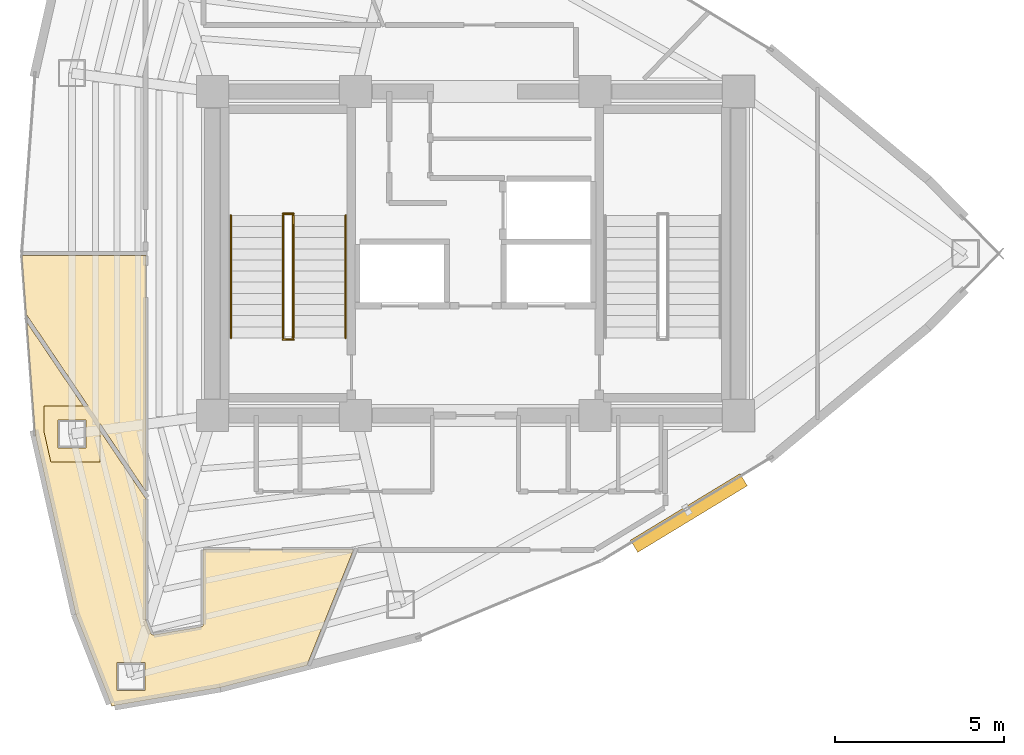
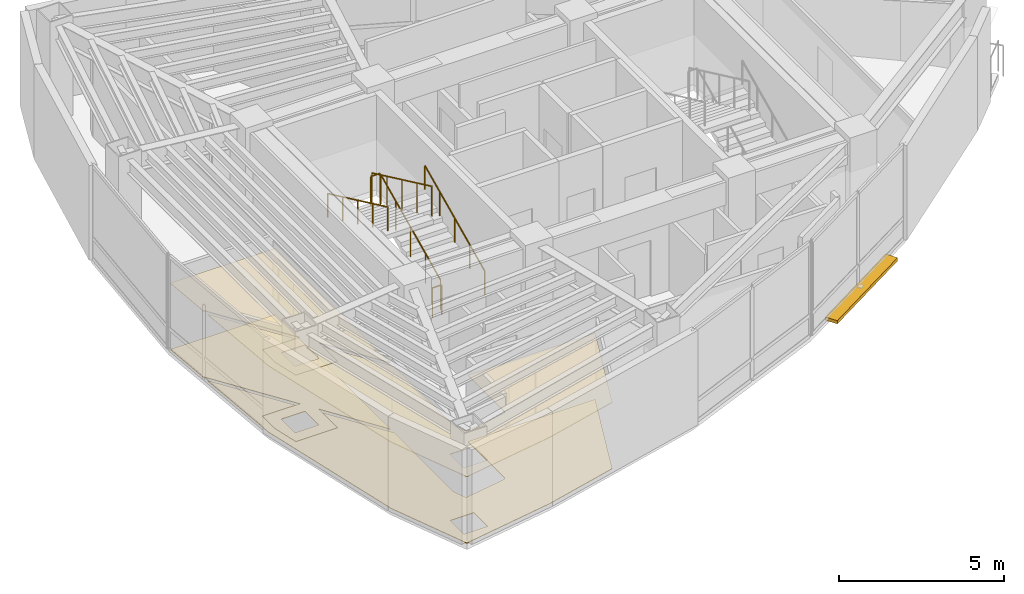
# One storey, part 14 of 15: 6 railings, 4 coverings, 1 shading device.
"""IFC4 building model written with IfcOpenShell, lengths in metres."""

from ifc_helpers import new_model, si_unit, direction, frame, origin, origin_2d, place, context, subcontext, project, spatial, polyline, rectangle, circle, outline, extrude, material, layer, layer_set, type_object, element, save


model = new_model("IFC4")

# Units and contexts
model_context = context("Model", 3, precision=1e-05, world=origin(), true_north=direction((0.0, 1.0)))
body_context = subcontext(model_context, "Body", "Model", "MODEL_VIEW")
ifc_project = project(units=[si_unit("LENGTHUNIT", "METRE"), si_unit("AREAUNIT", "SQUARE_METRE"), si_unit("VOLUMEUNIT", "CUBIC_METRE"), si_unit("PLANEANGLEUNIT", "RADIAN"), si_unit("MASSUNIT", "GRAM", prefix="KILO")], contexts=[model_context])

# Site, building, storey
site_placement = place(None, origin())
site = spatial("IfcSite", under=ifc_project, at=site_placement, CompositionType="ELEMENT")
building_placement = place(site_placement, origin())
building = spatial("IfcBuilding", under=site, at=building_placement, Name="Menara Vayukalpa", CompositionType="ELEMENT")
storey_placement = place(building_placement, frame((0.0, 0.0, 265.739990234375)))
storey = spatial("IfcBuildingStorey", under=building, at=storey_placement, Name="L67", CompositionType="ELEMENT", Elevation=265.739990234375)

# Coverings
ifc_material_1 = material(Name="Mineral Fibre Acoustic Ceiling Tile", Category="masonry")
ifc_layer_1 = layer(ifc_material_1, 0.02490234375)
ifc_layer_set_1 = layer_set([ifc_layer_1], Name="Mineral Fibre Acoustic Ceiling Tile")
covering_type_1 = type_object("IfcCoveringType", Name="COV-CLG1", PredefinedType="CEILING", material=ifc_layer_set_1)
covering_1_placement = place(storey_placement, frame((0.0, 0.0, 2.449951171875)))
element("IfcCovering", 1, at=covering_1_placement, inside=storey, type_object=covering_type_1, Name="L67 Executive Office Suite Acoustic Ceiling", PredefinedType="CEILING", context=body_context, shape_type="SweptSolid", body=[
    extrude(outline(polyline([(12.803955078125, 16.86376953125), (12.803955078125, 17.48828125), (14.115478515625, 17.48828125), (12.31884765625, 20.15185546875), (12.315185546875, 20.15673828125), (12.311279296875, 20.1611328125), (12.306884765625, 20.1650390625), (12.30224609375, 20.16845703125), (12.297119140625, 20.17138671875), (12.291748046875, 20.174072265625), (12.290771484375, 20.174560546875), (12.289794921875, 20.1748046875), (12.288818359375, 20.17529296875), (12.2880859375, 20.176025390625), (12.287353515625, 20.1767578125), (12.28662109375, 20.177490234375), (12.285888671875, 20.17822265625), (12.285400390625, 20.17919921875), (12.284912109375, 20.18017578125), (12.28466796875, 20.180908203125), (12.284423828125, 20.181884765625), (12.2841796875, 20.18310546875), (12.1533203125, 21.92919921875), (12.1533203125, 21.93017578125), (12.1533203125, 21.93115234375), (12.153564453125, 21.93212890625), (12.15380859375, 21.93310546875), (12.154052734375, 21.93408203125), (12.154541015625, 21.934814453125), (12.155029296875, 21.935791015625), (12.155517578125, 21.936279296875), (12.15625, 21.93701171875), (12.156982421875, 21.937744140625), (12.15771484375, 21.9384765625), (12.15869140625, 21.93896484375), (12.159423828125, 21.939208984375), (12.160400390625, 21.939697265625), (12.161376953125, 21.939697265625), (12.162353515625, 21.93994140625), (12.163330078125, 21.93994140625), (15.820068359375, 21.93994140625), (15.821044921875, 21.93994140625), (15.822021484375, 21.939697265625), (15.822998046875, 21.939697265625), (15.82373046875, 21.939208984375), (15.82470703125, 21.938720703125), (15.82568359375, 21.938232421875), (15.826416015625, 21.937744140625), (15.8271484375, 21.93701171875), (15.82763671875, 21.936279296875), (15.828369140625, 21.935546875), (15.828857421875, 21.934814453125), (15.8291015625, 21.933837890625), (15.82958984375, 21.932861328125), (15.829833984375, 21.931884765625), (15.830078125, 21.930908203125), (15.830078125, 21.929931640625), (15.830078125, 14.979248046875), (15.830078125, 14.978271484375), (15.829833984375, 14.977294921875), (15.82958984375, 14.976318359375), (15.8291015625, 14.975341796875), (15.828857421875, 14.974609375), (15.828369140625, 14.9736328125), (15.82763671875, 14.972900390625), (15.8271484375, 14.97216796875), (15.826416015625, 14.971435546875), (15.82568359375, 14.970947265625), (15.82470703125, 14.970458984375), (15.82373046875, 14.969970703125), (15.822998046875, 14.969482421875), (15.822021484375, 14.969482421875), (15.821044921875, 14.96923828125), (15.820068359375, 14.96923828125), (15.819091796875, 14.96923828125), (15.818115234375, 14.969482421875), (15.817138671875, 14.969482421875), (15.816162109375, 14.969970703125), (15.815185546875, 14.970458984375), (15.814453125, 14.970947265625), (15.813720703125, 14.971435546875), (15.81298828125, 14.97216796875), (15.812255859375, 14.972900390625), (15.811767578125, 14.9736328125), (14.47412109375, 16.956787109375), (14.47412109375, 15.818359375), (13.013916015625, 15.818359375), (12.816650390625, 16.694580078125), (12.803955078125, 16.86376953125)]), holes=[polyline([(14.053955078125, 17.068359375), (13.22412109375, 17.068359375), (13.22412109375, 16.23828125), (14.053955078125, 16.23828125), (14.053955078125, 17.068359375)])]), origin(), (0.0, 0.0, 1.0), 0.025146484375),
])
covering_2_placement = place(storey_placement, frame((0.0, 0.0, 2.449951171875)))
element("IfcCovering", 2, at=covering_2_placement, inside=storey, type_object=covering_type_1, Name="L67 Executive Office Suite Acoustic Ceiling", PredefinedType="CEILING", context=body_context, shape_type="SweptSolid", body=[
    extrude(outline(polyline([(14.827392578125, 8.589111328125), (14.826416015625, 8.589111328125), (14.82568359375, 8.58935546875), (14.82470703125, 8.58935546875), (14.82373046875, 8.589599609375), (14.82275390625, 8.590087890625), (14.822021484375, 8.590576171875), (14.821044921875, 8.591064453125), (14.8203125, 8.591552734375), (14.819580078125, 8.59228515625), (14.81884765625, 8.593017578125), (14.818359375, 8.59375), (14.81787109375, 8.5947265625), (14.8173828125, 8.595458984375), (13.751953125, 11.308837890625), (13.751708984375, 11.309814453125), (13.75146484375, 11.310302734375), (12.549072265625, 16.654052734375), (12.548828125, 16.655517578125), (12.303466796875, 19.9267578125), (12.303466796875, 19.927734375), (12.3037109375, 19.9287109375), (12.3037109375, 19.9296875), (12.303955078125, 19.9306640625), (12.30419921875, 19.931396484375), (12.3046875, 19.932373046875), (12.305419921875, 19.93310546875), (12.305908203125, 19.93408203125), (12.306396484375, 19.934814453125), (12.307373046875, 19.935302734375), (12.30810546875, 19.935791015625), (12.308837890625, 19.936279296875), (12.309814453125, 19.936767578125), (12.310791015625, 19.93701171875), (12.3115234375, 19.937255859375), (12.3125, 19.9375), (12.313720703125, 19.9375), (12.314453125, 19.9375), (12.3154296875, 19.937255859375), (12.31640625, 19.93701171875), (12.3173828125, 19.936767578125), (12.318115234375, 19.936279296875), (12.319091796875, 19.935791015625), (12.31982421875, 19.935302734375), (12.320556640625, 19.9345703125), (12.3212890625, 19.933837890625), (12.32177734375, 19.93310546875), (13.970703125, 17.48828125), (14.47412109375, 17.48828125), (14.47412109375, 16.7421875), (15.8203125, 14.74658203125), (15.82373046875, 14.74169921875), (15.827392578125, 14.73779296875), (15.827880859375, 14.737060546875), (15.82861328125, 14.736083984375), (15.8291015625, 14.7353515625), (15.829345703125, 14.734619140625), (15.82958984375, 14.733642578125), (15.829833984375, 14.73291015625), (15.830078125, 14.73193359375), (15.830078125, 14.73095703125), (15.830078125, 11.146484375), (15.830322265625, 11.1396484375), (15.831298828125, 11.13330078125), (15.832763671875, 11.126708984375), (15.8349609375, 11.12060546875), (15.984619140625, 10.7392578125), (15.987548828125, 10.732666015625), (15.990966796875, 10.726806640625), (15.994873046875, 10.72119140625), (15.999267578125, 10.716064453125), (16.00439453125, 10.71142578125), (16.009765625, 10.707275390625), (16.015625, 10.70361328125), (16.021484375, 10.700439453125), (16.02783203125, 10.697998046875), (16.034423828125, 10.6962890625), (16.041259765625, 10.695068359375), (16.048095703125, 10.694580078125), (16.054931640625, 10.694580078125), (16.06201171875, 10.695556640625), (17.471435546875, 10.934814453125), (17.478515625, 10.936279296875), (17.485107421875, 10.938720703125), (17.49169921875, 10.94140625), (17.497802734375, 10.94482421875), (17.50341796875, 10.94921875), (17.5087890625, 10.95361328125), (17.513427734375, 10.958740234375), (17.517822265625, 10.96435546875), (17.521484375, 10.97021484375), (17.5244140625, 10.9765625), (17.52685546875, 10.983154296875), (17.528564453125, 10.989990234375), (17.529541015625, 10.996826171875), (17.530029296875, 11.004150390625), (17.530029296875, 13.2099609375), (17.530029296875, 13.2109375), (17.5302734375, 13.2119140625), (17.530517578125, 13.212890625), (17.53076171875, 13.2138671875), (17.53125, 13.214599609375), (17.53173828125, 13.215576171875), (17.5322265625, 13.21630859375), (17.532958984375, 13.217041015625), (17.53369140625, 13.2177734375), (17.534423828125, 13.21826171875), (17.535400390625, 13.21875), (17.5361328125, 13.21923828125), (17.537109375, 13.219482421875), (17.5380859375, 13.2197265625), (17.5390625, 13.219970703125), (17.5400390625, 13.219970703125), (21.97314453125, 13.219970703125), (21.97412109375, 13.219970703125), (21.97509765625, 13.2197265625), (21.97607421875, 13.219482421875), (21.976806640625, 13.21923828125), (21.977783203125, 13.21875), (21.978515625, 13.21826171875), (21.9794921875, 13.2177734375), (21.97998046875, 13.217041015625), (21.980712890625, 13.21630859375), (21.9814453125, 13.215576171875), (21.98193359375, 13.21484375), (21.982421875, 13.2138671875), (21.982666015625, 13.212890625), (21.98291015625, 13.2119140625), (21.98291015625, 13.2109375), (21.983154296875, 13.210205078125), (21.983154296875, 13.208984375), (21.98291015625, 13.2080078125), (21.982666015625, 13.207275390625), (21.982421875, 13.206298828125), (20.60888671875, 9.80712890625), (20.60693359375, 9.80126953125), (20.605712890625, 9.79541015625), (20.60546875, 9.79443359375), (20.60498046875, 9.793701171875), (20.6044921875, 9.792724609375), (20.60400390625, 9.7919921875), (20.603515625, 9.791015625), (20.602783203125, 9.790283203125), (20.601806640625, 9.789794921875), (20.60107421875, 9.789306640625), (20.60009765625, 9.788818359375), (20.599365234375, 9.788330078125), (20.598388671875, 9.7880859375), (18.028564453125, 9.1328125), (18.027587890625, 9.132568359375), (14.82861328125, 8.58935546875), (14.827392578125, 8.589111328125)]), holes=[polyline([(14.97412109375, 9.870361328125), (14.97412109375, 9.040283203125), (15.80419921875, 9.040283203125), (15.80419921875, 9.870361328125), (14.97412109375, 9.870361328125)]), polyline([(14.053955078125, 17.068359375), (13.22412109375, 17.068359375), (13.22412109375, 16.23828125), (14.053955078125, 16.23828125), (14.053955078125, 17.068359375)])]), origin(), (0.0, 0.0, 1.0), 0.025146484375),
])
ifc_material_2 = material(Name="Porcelain Stoneware Floor Tile", Category="masonry")
ifc_layer_2 = layer(ifc_material_2, 0.02001953125)
ifc_layer_set_2 = layer_set([ifc_layer_2], Name="Porcelain Stoneware Floor Tile")
covering_type_2 = type_object("IfcCoveringType", Name="COV-FLR1", PredefinedType="FLOORING", material=ifc_layer_set_2)
covering_3_placement = place(storey_placement, origin())
element("IfcCovering", 3, at=covering_3_placement, inside=storey, type_object=covering_type_2, Name="L67 Executive Office Suite Porcelain Flooring", PredefinedType="FLOORING", context=body_context, shape_type="SweptSolid", body=[
    extrude(outline(polyline([(12.803955078125, 16.86376953125), (12.803955078125, 17.48828125), (14.115478515625, 17.48828125), (12.31884765625, 20.15185546875), (12.315185546875, 20.15673828125), (12.311279296875, 20.1611328125), (12.306884765625, 20.1650390625), (12.30224609375, 20.16845703125), (12.297119140625, 20.17138671875), (12.291748046875, 20.174072265625), (12.290771484375, 20.174560546875), (12.289794921875, 20.1748046875), (12.288818359375, 20.17529296875), (12.2880859375, 20.176025390625), (12.287353515625, 20.1767578125), (12.28662109375, 20.177490234375), (12.285888671875, 20.17822265625), (12.285400390625, 20.17919921875), (12.284912109375, 20.18017578125), (12.28466796875, 20.180908203125), (12.284423828125, 20.181884765625), (12.2841796875, 20.18310546875), (12.1533203125, 21.92919921875), (12.1533203125, 21.93017578125), (12.1533203125, 21.93115234375), (12.153564453125, 21.93212890625), (12.15380859375, 21.93310546875), (12.154052734375, 21.93408203125), (12.154541015625, 21.934814453125), (12.155029296875, 21.935791015625), (12.155517578125, 21.936279296875), (12.15625, 21.93701171875), (12.156982421875, 21.937744140625), (12.15771484375, 21.9384765625), (12.15869140625, 21.93896484375), (12.159423828125, 21.939208984375), (12.160400390625, 21.939697265625), (12.161376953125, 21.939697265625), (12.162353515625, 21.93994140625), (12.163330078125, 21.93994140625), (15.820068359375, 21.93994140625), (15.821044921875, 21.93994140625), (15.822021484375, 21.939697265625), (15.822998046875, 21.939697265625), (15.82373046875, 21.939208984375), (15.82470703125, 21.938720703125), (15.82568359375, 21.938232421875), (15.826416015625, 21.937744140625), (15.8271484375, 21.93701171875), (15.82763671875, 21.936279296875), (15.828369140625, 21.935546875), (15.828857421875, 21.934814453125), (15.8291015625, 21.933837890625), (15.82958984375, 21.932861328125), (15.829833984375, 21.931884765625), (15.830078125, 21.930908203125), (15.830078125, 21.929931640625), (15.830078125, 14.979248046875), (15.830078125, 14.978271484375), (15.829833984375, 14.977294921875), (15.82958984375, 14.976318359375), (15.8291015625, 14.975341796875), (15.828857421875, 14.974609375), (15.828369140625, 14.9736328125), (15.82763671875, 14.972900390625), (15.8271484375, 14.97216796875), (15.826416015625, 14.971435546875), (15.82568359375, 14.970947265625), (15.82470703125, 14.970458984375), (15.82373046875, 14.969970703125), (15.822998046875, 14.969482421875), (15.822021484375, 14.969482421875), (15.821044921875, 14.96923828125), (15.820068359375, 14.96923828125), (15.819091796875, 14.96923828125), (15.818115234375, 14.969482421875), (15.817138671875, 14.969482421875), (15.816162109375, 14.969970703125), (15.815185546875, 14.970458984375), (15.814453125, 14.970947265625), (15.813720703125, 14.971435546875), (15.81298828125, 14.97216796875), (15.812255859375, 14.972900390625), (15.811767578125, 14.9736328125), (14.47412109375, 16.956787109375), (14.47412109375, 15.818359375), (13.013916015625, 15.818359375), (12.816650390625, 16.694580078125), (12.803955078125, 16.86376953125)]), holes=[polyline([(14.053955078125, 17.068359375), (13.22412109375, 17.068359375), (13.22412109375, 16.23828125), (14.053955078125, 16.23828125), (14.053955078125, 17.068359375)])]), origin(), (0.0, 0.0, 1.0), 0.02001953125),
])
covering_4_placement = place(storey_placement, origin())
element("IfcCovering", 4, at=covering_4_placement, inside=storey, type_object=covering_type_2, Name="L67 Executive Office Suite Porcelain Flooring", PredefinedType="FLOORING", context=body_context, shape_type="SweptSolid", body=[
    extrude(outline(polyline([(14.827392578125, 8.589111328125), (14.826416015625, 8.589111328125), (14.82568359375, 8.58935546875), (14.82470703125, 8.58935546875), (14.82373046875, 8.589599609375), (14.82275390625, 8.590087890625), (14.822021484375, 8.590576171875), (14.821044921875, 8.591064453125), (14.8203125, 8.591552734375), (14.819580078125, 8.59228515625), (14.81884765625, 8.593017578125), (14.818359375, 8.59375), (14.81787109375, 8.5947265625), (14.8173828125, 8.595458984375), (13.751953125, 11.308837890625), (13.751708984375, 11.309814453125), (13.75146484375, 11.310302734375), (12.549072265625, 16.654052734375), (12.548828125, 16.655517578125), (12.303466796875, 19.9267578125), (12.303466796875, 19.927734375), (12.3037109375, 19.9287109375), (12.3037109375, 19.9296875), (12.303955078125, 19.9306640625), (12.30419921875, 19.931396484375), (12.3046875, 19.932373046875), (12.305419921875, 19.93310546875), (12.305908203125, 19.93408203125), (12.306396484375, 19.934814453125), (12.307373046875, 19.935302734375), (12.30810546875, 19.935791015625), (12.308837890625, 19.936279296875), (12.309814453125, 19.936767578125), (12.310791015625, 19.93701171875), (12.3115234375, 19.937255859375), (12.3125, 19.9375), (12.313720703125, 19.9375), (12.314453125, 19.9375), (12.3154296875, 19.937255859375), (12.31640625, 19.93701171875), (12.3173828125, 19.936767578125), (12.318115234375, 19.936279296875), (12.319091796875, 19.935791015625), (12.31982421875, 19.935302734375), (12.320556640625, 19.9345703125), (12.3212890625, 19.933837890625), (12.32177734375, 19.93310546875), (13.970703125, 17.48828125), (14.47412109375, 17.48828125), (14.47412109375, 16.7421875), (15.8203125, 14.74658203125), (15.82373046875, 14.74169921875), (15.827392578125, 14.73779296875), (15.827880859375, 14.737060546875), (15.82861328125, 14.736083984375), (15.8291015625, 14.7353515625), (15.829345703125, 14.734619140625), (15.82958984375, 14.733642578125), (15.829833984375, 14.73291015625), (15.830078125, 14.73193359375), (15.830078125, 14.73095703125), (15.830078125, 11.146484375), (15.830322265625, 11.1396484375), (15.831298828125, 11.13330078125), (15.832763671875, 11.126708984375), (15.8349609375, 11.12060546875), (15.984619140625, 10.7392578125), (15.987548828125, 10.732666015625), (15.990966796875, 10.726806640625), (15.994873046875, 10.72119140625), (15.999267578125, 10.716064453125), (16.00439453125, 10.71142578125), (16.009765625, 10.707275390625), (16.015625, 10.70361328125), (16.021484375, 10.700439453125), (16.02783203125, 10.697998046875), (16.034423828125, 10.6962890625), (16.041259765625, 10.695068359375), (16.048095703125, 10.694580078125), (16.054931640625, 10.694580078125), (16.06201171875, 10.695556640625), (17.471435546875, 10.934814453125), (17.478515625, 10.936279296875), (17.485107421875, 10.938720703125), (17.49169921875, 10.94140625), (17.497802734375, 10.94482421875), (17.50341796875, 10.94921875), (17.5087890625, 10.95361328125), (17.513427734375, 10.958740234375), (17.517822265625, 10.96435546875), (17.521484375, 10.97021484375), (17.5244140625, 10.9765625), (17.52685546875, 10.983154296875), (17.528564453125, 10.989990234375), (17.529541015625, 10.996826171875), (17.530029296875, 11.004150390625), (17.530029296875, 13.2099609375), (17.530029296875, 13.2109375), (17.5302734375, 13.2119140625), (17.530517578125, 13.212890625), (17.53076171875, 13.2138671875), (17.53125, 13.214599609375), (17.53173828125, 13.215576171875), (17.5322265625, 13.21630859375), (17.532958984375, 13.217041015625), (17.53369140625, 13.2177734375), (17.534423828125, 13.21826171875), (17.535400390625, 13.21875), (17.5361328125, 13.21923828125), (17.537109375, 13.219482421875), (17.5380859375, 13.2197265625), (17.5390625, 13.219970703125), (17.5400390625, 13.219970703125), (21.97314453125, 13.219970703125), (21.97412109375, 13.219970703125), (21.97509765625, 13.2197265625), (21.97607421875, 13.219482421875), (21.976806640625, 13.21923828125), (21.977783203125, 13.21875), (21.978515625, 13.21826171875), (21.9794921875, 13.2177734375), (21.97998046875, 13.217041015625), (21.980712890625, 13.21630859375), (21.9814453125, 13.215576171875), (21.98193359375, 13.21484375), (21.982421875, 13.2138671875), (21.982666015625, 13.212890625), (21.98291015625, 13.2119140625), (21.98291015625, 13.2109375), (21.983154296875, 13.210205078125), (21.983154296875, 13.208984375), (21.98291015625, 13.2080078125), (21.982666015625, 13.207275390625), (21.982421875, 13.206298828125), (20.60888671875, 9.80712890625), (20.60693359375, 9.80126953125), (20.605712890625, 9.79541015625), (20.60546875, 9.79443359375), (20.60498046875, 9.793701171875), (20.6044921875, 9.792724609375), (20.60400390625, 9.7919921875), (20.603515625, 9.791015625), (20.602783203125, 9.790283203125), (20.601806640625, 9.789794921875), (20.60107421875, 9.789306640625), (20.60009765625, 9.788818359375), (20.599365234375, 9.788330078125), (20.598388671875, 9.7880859375), (18.028564453125, 9.1328125), (18.027587890625, 9.132568359375), (14.82861328125, 8.58935546875), (14.827392578125, 8.589111328125)]), holes=[polyline([(14.97412109375, 9.870361328125), (14.97412109375, 9.040283203125), (15.80419921875, 9.040283203125), (15.80419921875, 9.870361328125), (14.97412109375, 9.870361328125)]), polyline([(14.053955078125, 17.068359375), (13.22412109375, 17.068359375), (13.22412109375, 16.23828125), (14.053955078125, 16.23828125), (14.053955078125, 17.068359375)])]), origin(), (0.0, 0.0, 1.0), 0.02001953125),
])

# Railings
ifc_material_3 = material(Name="Powder-Coated Galvanised Steel Guardrail", Category="steel")
railing_type_1 = type_object("IfcRailingType", Name="RLG-STG110", PredefinedType="GUARDRAIL", material=ifc_material_3)
railing_1_placement = place(storey_placement, frame((20.199951171875, 19.5, 0.155029296875)))
element("IfcRailing", 5, at=railing_1_placement, inside=storey, type_object=railing_type_1, Name="L67 ST-1 stair guard 1", PredefinedType="GUARDRAIL", context=body_context, shape_type="SweptSolid", body=[
    extrude(circle(Radius=0.02392578125, at=origin_2d()), frame((0.0, 0.0, 1.09619140625), z_axis=(0.0, 0.90511648382, 0.425163675209), x_axis=(-1.0, 0.0, 0.0)), (0.0, 0.0, 1.0), 4.010498046875),
    extrude(circle(Radius=0.02099609375, at=origin_2d()), origin(), (0.0, 0.0, 1.0), 1.072021484375),
    extrude(circle(Radius=0.02099609375, at=origin_2d()), frame((0.0, 0.907470703125, 0.42626953125)), (0.0, 0.0, 1.0), 1.072021484375),
    extrude(circle(Radius=0.02099609375, at=origin_2d()), frame((0.0, 1.81494140625, 0.8525390625)), (0.0, 0.0, 1.0), 1.072021484375),
    extrude(circle(Radius=0.02099609375, at=origin_2d()), frame((0.0, 2.722412109375, 1.27880859375)), (0.0, 0.0, 1.0), 1.072021484375),
    extrude(circle(Radius=0.02099609375, at=origin_2d()), frame((0.0, 3.6298828125, 1.705078125)), (0.0, 0.0, 1.0), 1.072021484375),
])
railing_2_placement = place(storey_placement, frame((20.2099609375, 23.179931640625, 1.860107421875)))
element("IfcRailing", 6, at=railing_2_placement, inside=storey, type_object=railing_type_1, Name="L67 ST-1 stair guard 2", PredefinedType="GUARDRAIL", context=body_context, shape_type="SweptSolid", body=[
    extrude(circle(Radius=0.02392578125, at=origin_2d()), frame((0.0, 0.0, 1.09619140625), z_axis=(-1.0, 0.0, 0.0), x_axis=(0.0, -1.0, 0.0)), (0.0, 0.0, 1.0), 0.320068359375),
    extrude(circle(Radius=0.02099609375, at=origin_2d()), origin(), (0.0, 0.0, 1.0), 1.072021484375),
    extrude(circle(Radius=0.02099609375, at=origin_2d()), frame((-0.320068359375, 0.0, 0.0)), (0.0, 0.0, 1.0), 1.072021484375),
])
railing_3_placement = place(storey_placement, frame((19.89990234375, 23.1298828125, 2.014892578125)))
element("IfcRailing", 7, at=railing_3_placement, inside=storey, type_object=railing_type_1, Name="L67 ST-1 stair guard 3", PredefinedType="GUARDRAIL", context=body_context, shape_type="SweptSolid", body=[
    extrude(circle(Radius=0.02392578125, at=origin_2d()), frame((0.0, 0.0, 1.09619140625), z_axis=(0.0, -0.90511648382, 0.425163675209), x_axis=(1.0, 0.0, 0.0)), (0.0, 0.0, 1.0), 4.010498046875),
    extrude(circle(Radius=0.02099609375, at=origin_2d()), origin(), (0.0, 0.0, 1.0), 1.072021484375),
    extrude(circle(Radius=0.02099609375, at=origin_2d()), frame((0.0, -0.907470703125, 0.42626953125)), (0.0, 0.0, 1.0), 1.072021484375),
    extrude(circle(Radius=0.02099609375, at=origin_2d()), frame((0.0, -1.81494140625, 0.8525390625)), (0.0, 0.0, 1.0), 1.072021484375),
    extrude(circle(Radius=0.02099609375, at=origin_2d()), frame((0.0, -2.722412109375, 1.27880859375)), (0.0, 0.0, 1.0), 1.072021484375),
    extrude(circle(Radius=0.02099609375, at=origin_2d()), frame((0.0, -3.6298828125, 1.705078125)), (0.0, 0.0, 1.0), 1.072021484375),
])
railing_4_placement = place(storey_placement, frame((20.2099609375, 19.449951171875, 0.0)))
element("IfcRailing", 8, at=railing_4_placement, inside=storey, type_object=railing_type_1, Name="L67 ST-1 stair guard 4", PredefinedType="GUARDRAIL", context=body_context, shape_type="SweptSolid", body=[
    extrude(circle(Radius=0.02392578125, at=origin_2d()), frame((0.0, 0.0, 1.09619140625), z_axis=(-1.0, 0.0, 0.0), x_axis=(0.0, -1.0, 0.0)), (0.0, 0.0, 1.0), 0.320068359375),
    extrude(circle(Radius=0.02099609375, at=origin_2d()), origin(), (0.0, 0.0, 1.0), 1.072021484375),
    extrude(circle(Radius=0.02099609375, at=origin_2d()), frame((-0.320068359375, 0.0, 0.0)), (0.0, 0.0, 1.0), 1.072021484375),
])
ifc_material_4 = material(Name="Stainless Steel 316 Tubular Handrail", Category="steel")
railing_type_2 = type_object("IfcRailingType", Name="RLG-STH090", PredefinedType="HANDRAIL", material=ifc_material_4)
railing_5_placement = place(storey_placement, frame((21.75, 19.5, 0.155029296875)))
element("IfcRailing", 9, at=railing_5_placement, inside=storey, type_object=railing_type_2, Name="L67 ST-1 stair handrail 1", PredefinedType="HANDRAIL", context=body_context, shape_type="SweptSolid", body=[
    extrude(circle(Radius=0.02392578125, at=origin_2d()), frame((0.0, 0.0, 0.8759765625), z_axis=(0.0, 0.90511648382, 0.425163675209), x_axis=(-1.0, 0.0, 0.0)), (0.0, 0.0, 1.0), 4.010498046875),
    extrude(circle(Radius=0.02099609375, at=origin_2d()), origin(), (0.0, 0.0, 1.0), 0.851806640625),
    extrude(circle(Radius=0.02099609375, at=origin_2d()), frame((0.0, 0.907470703125, 0.42626953125)), (0.0, 0.0, 1.0), 0.851806640625),
    extrude(circle(Radius=0.02099609375, at=origin_2d()), frame((0.0, 1.81494140625, 0.8525390625)), (0.0, 0.0, 1.0), 0.851806640625),
    extrude(circle(Radius=0.02099609375, at=origin_2d()), frame((0.0, 2.722412109375, 1.27880859375)), (0.0, 0.0, 1.0), 0.851806640625),
    extrude(circle(Radius=0.02099609375, at=origin_2d()), frame((0.0, 3.6298828125, 1.705078125)), (0.0, 0.0, 1.0), 0.851806640625),
])
railing_6_placement = place(storey_placement, frame((18.35009765625, 23.1298828125, 2.014892578125)))
element("IfcRailing", 10, at=railing_6_placement, inside=storey, type_object=railing_type_2, Name="L67 ST-1 stair handrail 2", PredefinedType="HANDRAIL", context=body_context, shape_type="SweptSolid", body=[
    extrude(circle(Radius=0.02392578125, at=origin_2d()), frame((0.0, 0.0, 0.8759765625), z_axis=(0.0, -0.90511648382, 0.425163675209), x_axis=(1.0, 0.0, 0.0)), (0.0, 0.0, 1.0), 4.010498046875),
    extrude(circle(Radius=0.02099609375, at=origin_2d()), origin(), (0.0, 0.0, 1.0), 0.851806640625),
    extrude(circle(Radius=0.02099609375, at=origin_2d()), frame((0.0, -0.907470703125, 0.42626953125)), (0.0, 0.0, 1.0), 0.851806640625),
    extrude(circle(Radius=0.02099609375, at=origin_2d()), frame((0.0, -1.81494140625, 0.8525390625)), (0.0, 0.0, 1.0), 0.851806640625),
    extrude(circle(Radius=0.02099609375, at=origin_2d()), frame((0.0, -2.722412109375, 1.27880859375)), (0.0, 0.0, 1.0), 0.851806640625),
    extrude(circle(Radius=0.02099609375, at=origin_2d()), frame((0.0, -3.6298828125, 1.705078125)), (0.0, 0.0, 1.0), 0.851806640625),
])

# Shading device
ifc_material_5 = material(Name="Glazed Terracotta Ceramic Baguette Extrusion", Category="masonry")
ifc_layer_3 = layer(ifc_material_5, 0.1201171875)
ifc_layer_set_3 = layer_set([ifc_layer_3], Name="Glazed Terracotta Ceramic Baguette Extrusion")
shading_device_type = type_object("IfcShadingDeviceType", Name="SHD-SS1", PredefinedType="USERDEFINED", material=ifc_layer_set_3)
shading_device_placement = place(storey_placement, frame((31.927978515625, 14.30859375, -0.10009765625), z_axis=(0.0, 0.0, 1.0), x_axis=(0.85466730962, 0.519176068272, 0.0)))
element("IfcShadingDevice", 11, at=shading_device_placement, inside=storey, type_object=shading_device_type, Name="L67 Horizontal Terracotta Sunshade Band 17", ObjectType="SUNSHADE", PredefinedType="USERDEFINED", context=body_context, shape_type="SweptSolid", body=[
    extrude(rectangle(XDim=3.800048828125, YDim=0.419921875, at=origin_2d()), origin(), (0.0, 0.0, 1.0), 0.1201171875),
])

save(model, "model.ifc")
